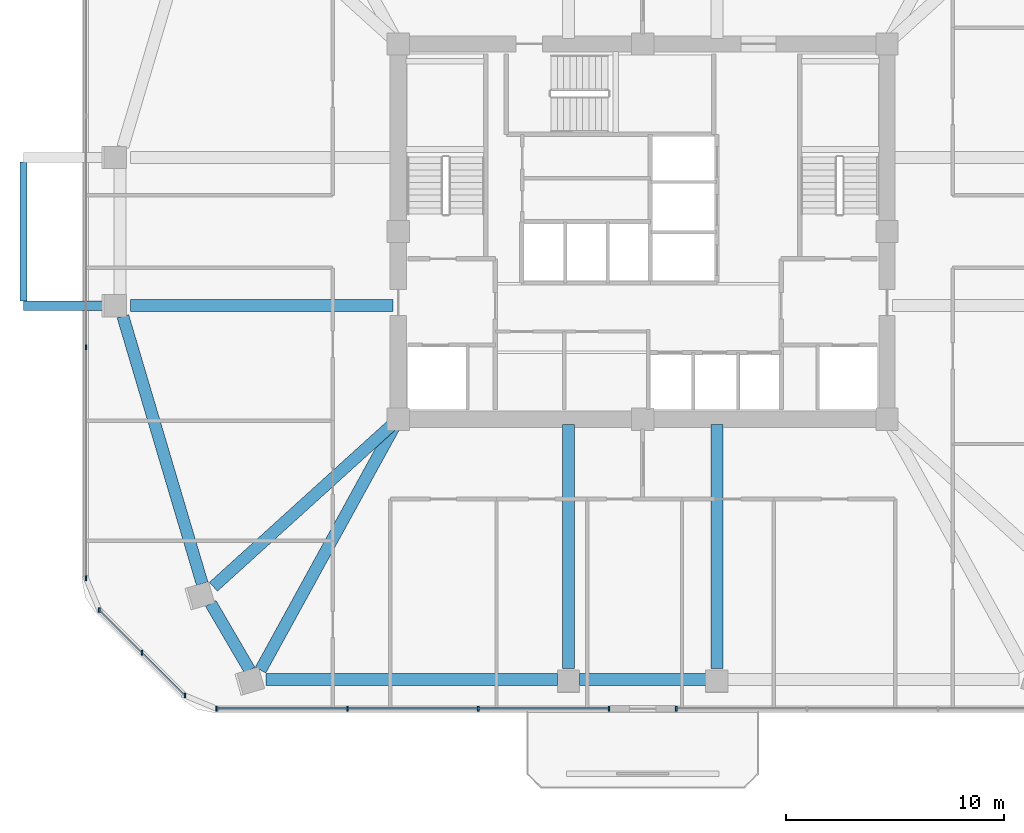
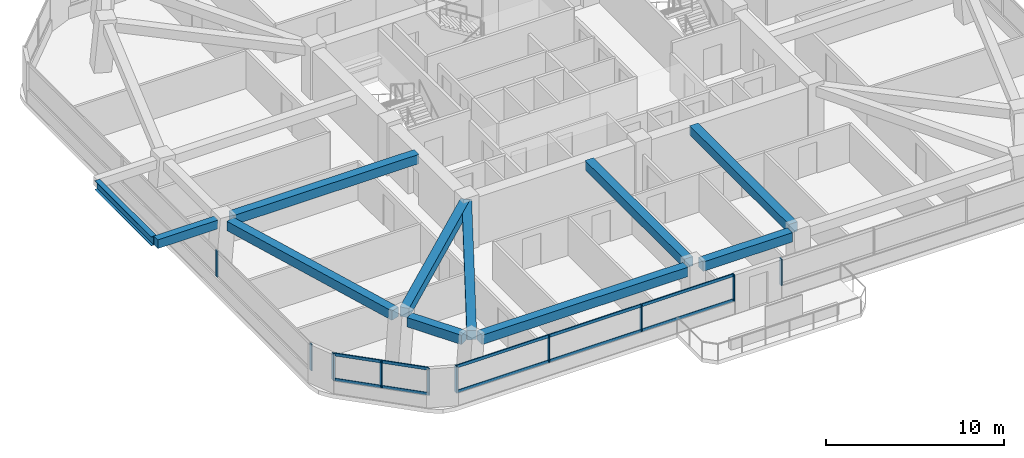
# One storey, part 2 of 13: 14 members, 11 beams, 4 elements without a shape of their own.
"""IFC4 building model written with IfcOpenShell, lengths in metres."""

from ifc_helpers import new_model, si_unit, derived_unit, direction, frame, origin, origin_2d, place, context, subcontext, project, spatial, rectangle, i_section, extrude, material, material_profile, profile_set, type_object, element, aggregate, save


model = new_model("IFC4")

# Units and contexts
model_context = context("Model", 3, precision=1e-05, world=origin(), true_north=direction((0.0, 1.0)))
body_context = subcontext(model_context, "Body", "Model", "MODEL_VIEW")
ifc_project = project(units=[si_unit("LENGTHUNIT", "METRE"), si_unit("AREAUNIT", "SQUARE_METRE"), si_unit("VOLUMEUNIT", "CUBIC_METRE"), si_unit("PLANEANGLEUNIT", "RADIAN"), si_unit("MASSUNIT", "GRAM", prefix="KILO"), derived_unit("THERMALTRANSMITTANCEUNIT", [(si_unit("POWERUNIT", "WATT"), 1), (si_unit("LENGTHUNIT", "METRE"), -2), (si_unit("THERMODYNAMICTEMPERATUREUNIT", "KELVIN"), -1)])], contexts=[model_context])

# Site, building, storey
site_placement = place(None, origin())
site = spatial("IfcSite", under=ifc_project, at=site_placement, CompositionType="ELEMENT")
building_placement = place(site_placement, origin())
building = spatial("IfcBuilding", under=site, at=building_placement, Name="Koralith Skygarden Medical Center", CompositionType="ELEMENT")
storey_placement = place(building_placement, frame((0.0, 0.0, 102.780029296875)))
storey = spatial("IfcBuildingStorey", under=building, at=storey_placement, Name="L26", CompositionType="ELEMENT", Elevation=102.780029296875)

# Curtain wall, members
ifc_material_1 = material(Name="Clear Laminated Glass", Category="glass")
curtain_wall_type = type_object("IfcCurtainWallType", Name="CW-3 Zone 2 Faceted Solar Curtain Wall", PredefinedType="NOTDEFINED", material=ifc_material_1)
curtain_wall_1_placement = place(storey_placement, origin())
curtain_wall_1 = element("IfcCurtainWall", 1, at=curtain_wall_1_placement, inside=storey, type_object=curtain_wall_type, Name="Curtain Wall CW-L26-S-L", PredefinedType="NOTDEFINED")
ifc_material_2 = material(Name="Aluminium 6063-T6", Category="aluminium")
ifc_material_profile_1 = material_profile(ifc_material_2, rectangle(XDim=0.073974609375, YDim=0.219970703125, at=origin_2d()), Name="MUL74X220")
ifc_profile_set_1 = profile_set([ifc_material_profile_1], Name="Aluminium 6063-T6")
member_type_1 = type_object("IfcMemberType", Name="CW-3 Extruded Mullion 74x220", PredefinedType="MULLION", material=ifc_profile_set_1)
member_1_placement = place(storey_placement, frame((17.464111328125, 4.033935546875, 0.849853515625), z_axis=(0.0, 0.0, 1.0), x_axis=(1.0, 0.0, 0.0)))
member_1 = element("IfcMember", 2, at=member_1_placement, type_object=member_type_1, Name="CW-L26-S-L Mullion 1", PredefinedType="MULLION", context=body_context, shape_type="SweptSolid", body=[
    extrude(rectangle(XDim=0.073974609375, YDim=0.219970703125, at=origin_2d()), origin(), (0.0, 0.0, 1.0), 1.820068359375),
])
member_2_placement = place(storey_placement, frame((23.4619140625, 4.033935546875, 0.849853515625), z_axis=(0.0, 0.0, 1.0), x_axis=(1.0, 0.0, 0.0)))
member_2 = element("IfcMember", 3, at=member_2_placement, type_object=member_type_1, Name="CW-L26-S-L Mullion 2", PredefinedType="MULLION", context=body_context, shape_type="SweptSolid", body=[
    extrude(rectangle(XDim=0.073974609375, YDim=0.219970703125, at=origin_2d()), origin(), (0.0, 0.0, 1.0), 1.820068359375),
])
member_3_placement = place(storey_placement, frame((29.4609375, 4.033935546875, 0.849853515625), z_axis=(0.0, 0.0, 1.0), x_axis=(1.0, 0.0, 0.0)))
member_3 = element("IfcMember", 4, at=member_3_placement, type_object=member_type_1, Name="CW-L26-S-L Mullion 3", PredefinedType="MULLION", context=body_context, shape_type="SweptSolid", body=[
    extrude(rectangle(XDim=0.073974609375, YDim=0.219970703125, at=origin_2d()), origin(), (0.0, 0.0, 1.0), 1.820068359375),
])
member_4_placement = place(storey_placement, frame((35.458984375, 4.033935546875, 0.849853515625), z_axis=(0.0, 0.0, 1.0), x_axis=(1.0, 0.0, 0.0)))
member_4 = element("IfcMember", 5, at=member_4_placement, type_object=member_type_1, Name="CW-L26-S-L Mullion 4", PredefinedType="MULLION", context=body_context, shape_type="SweptSolid", body=[
    extrude(rectangle(XDim=0.073974609375, YDim=0.219970703125, at=origin_2d()), origin(), (0.0, 0.0, 1.0), 1.820068359375),
])

# Curtain wall, member
curtain_wall_2_placement = place(storey_placement, origin())
curtain_wall_2 = element("IfcCurtainWall", 6, at=curtain_wall_2_placement, inside=storey, type_object=curtain_wall_type, Name="Curtain Wall CW-L26-S-R", PredefinedType="NOTDEFINED")
member_5_placement = place(storey_placement, frame((38.5390625, 4.033935546875, 0.849853515625), z_axis=(0.0, 0.0, 1.0), x_axis=(1.0, 0.0, 0.0)))
member_5 = element("IfcMember", 7, at=member_5_placement, type_object=member_type_1, Name="CW-L26-S-R Mullion 1", PredefinedType="MULLION", context=body_context, shape_type="SweptSolid", body=[
    extrude(rectangle(XDim=0.073974609375, YDim=0.219970703125, at=origin_2d()), origin(), (0.0, 0.0, 1.0), 1.820068359375),
])
aggregate(curtain_wall_2, [member_5])

# Curtain wall, members
curtain_wall_3_placement = place(storey_placement, origin())
curtain_wall_3 = element("IfcCurtainWall", 8, at=curtain_wall_3_placement, inside=storey, type_object=curtain_wall_type, Name="Curtain Wall CW-L26-W", PredefinedType="NOTDEFINED")
member_6_placement = place(storey_placement, frame((11.489013671875, 20.60302734375, 0.849853515625), z_axis=(0.0, 0.0, 1.0), x_axis=(1.0, 0.0, 0.0)))
member_6 = element("IfcMember", 9, at=member_6_placement, type_object=member_type_1, Name="CW-L26-W Mullion 3", PredefinedType="MULLION", context=body_context, shape_type="SweptSolid", body=[
    extrude(rectangle(XDim=0.073974609375, YDim=0.219970703125, at=origin_2d()), origin(), (0.0, 0.0, 1.0), 1.820068359375),
])
member_7_placement = place(storey_placement, frame((11.489013671875, 10.009033203125, 0.849853515625), z_axis=(0.0, 0.0, 1.0), x_axis=(1.0, 0.0, 0.0)))
member_7 = element("IfcMember", 10, at=member_7_placement, type_object=member_type_1, Name="CW-L26-W Mullion 4", PredefinedType="MULLION", context=body_context, shape_type="SweptSolid", body=[
    extrude(rectangle(XDim=0.073974609375, YDim=0.219970703125, at=origin_2d()), origin(), (0.0, 0.0, 1.0), 1.820068359375),
])
aggregate(curtain_wall_3, [member_6, member_7])

curtain_wall_4_placement = place(storey_placement, origin())
curtain_wall_4 = element("IfcCurtainWall", 11, at=curtain_wall_4_placement, inside=storey, type_object=curtain_wall_type, Name="Curtain Wall CW-L26-SW", PredefinedType="NOTDEFINED")
member_8_placement = place(storey_placement, frame((12.090087890625, 8.55810546875, 0.849853515625), z_axis=(0.0, 0.0, 1.0), x_axis=(1.0, 0.0, 0.0)))
member_8 = element("IfcMember", 12, at=member_8_placement, type_object=member_type_1, Name="CW-L26-SW Mullion 1", PredefinedType="MULLION", context=body_context, shape_type="SweptSolid", body=[
    extrude(rectangle(XDim=0.073974609375, YDim=0.219970703125, at=origin_2d()), origin(), (0.0, 0.0, 1.0), 1.820068359375),
])
member_9_placement = place(storey_placement, frame((14.052001953125, 6.595947265625, 0.849853515625), z_axis=(0.0, 0.0, 1.0), x_axis=(1.0, 0.0, 0.0)))
member_9 = element("IfcMember", 13, at=member_9_placement, type_object=member_type_1, Name="CW-L26-SW Mullion 2", PredefinedType="MULLION", context=body_context, shape_type="SweptSolid", body=[
    extrude(rectangle(XDim=0.073974609375, YDim=0.219970703125, at=origin_2d()), origin(), (0.0, 0.0, 1.0), 1.820068359375),
])
member_10_placement = place(storey_placement, frame((16.012939453125, 4.635009765625, 0.849853515625), z_axis=(0.0, 0.0, 1.0), x_axis=(1.0, 0.0, 0.0)))
member_10 = element("IfcMember", 14, at=member_10_placement, type_object=member_type_1, Name="CW-L26-SW Mullion 3", PredefinedType="MULLION", context=body_context, shape_type="SweptSolid", body=[
    extrude(rectangle(XDim=0.073974609375, YDim=0.219970703125, at=origin_2d()), origin(), (0.0, 0.0, 1.0), 1.820068359375),
])

# Member
ifc_material_profile_2 = material_profile(ifc_material_2, rectangle(XDim=0.069091796875, YDim=0.197998046875, at=origin_2d()), Name="TRN69X198")
ifc_profile_set_2 = profile_set([ifc_material_profile_2], Name="Aluminium 6063-T6")
member_type_2 = type_object("IfcMemberType", Name="CW-3 Thermal Transom 69x198", PredefinedType="USERDEFINED", material=ifc_profile_set_2)
member_11_placement = place(storey_placement, frame((17.464111328125, 4.033935546875, 0.89990234375), z_axis=(1.0, 0.0, 0.0), x_axis=(0.0, 1.0, 0.0)))
member_11 = element("IfcMember", 15, at=member_11_placement, type_object=member_type_2, Name="CW-L26-S-L Transom 1", ObjectType="TRANSOM", PredefinedType="USERDEFINED", context=body_context, shape_type="SweptSolid", body=[
    extrude(rectangle(XDim=0.069091796875, YDim=0.197998046875, at=origin_2d()), origin(), (0.0, 0.0, 1.0), 17.994873046875),
])

member_12_placement = place(storey_placement, frame((17.464111328125, 4.033935546875, 2.619873046875), z_axis=(1.0, 0.0, 0.0), x_axis=(0.0, 1.0, 0.0)))
member_12 = element("IfcMember", 16, at=member_12_placement, type_object=member_type_2, Name="CW-L26-S-L Transom 2", ObjectType="TRANSOM", PredefinedType="USERDEFINED", context=body_context, shape_type="SweptSolid", body=[
    extrude(rectangle(XDim=0.069091796875, YDim=0.197998046875, at=origin_2d()), origin(), (0.0, 0.0, 1.0), 17.994873046875),
])

aggregate(curtain_wall_1, [member_1, member_2, member_3, member_4, member_11, member_12])

member_13_placement = place(storey_placement, frame((12.090087890625, 8.55810546875, 0.89990234375), z_axis=(0.707084777957, -0.707128783731, 0.0), x_axis=(0.707128783731, 0.707084777957, 0.0)))
member_13 = element("IfcMember", 17, at=member_13_placement, type_object=member_type_2, Name="CW-L26-SW Transom 1", ObjectType="TRANSOM", PredefinedType="USERDEFINED", context=body_context, shape_type="SweptSolid", body=[
    extrude(rectangle(XDim=0.069091796875, YDim=0.197998046875, at=origin_2d()), origin(), (0.0, 0.0, 1.0), 5.5478515625),
])

member_14_placement = place(storey_placement, frame((12.090087890625, 8.55810546875, 2.619873046875), z_axis=(0.707084777957, -0.707128783731, 0.0), x_axis=(0.707128783731, 0.707084777957, 0.0)))
member_14 = element("IfcMember", 18, at=member_14_placement, type_object=member_type_2, Name="CW-L26-SW Transom 2", ObjectType="TRANSOM", PredefinedType="USERDEFINED", context=body_context, shape_type="SweptSolid", body=[
    extrude(rectangle(XDim=0.069091796875, YDim=0.197998046875, at=origin_2d()), origin(), (0.0, 0.0, 1.0), 5.5478515625),
])

aggregate(curtain_wall_4, [member_8, member_9, member_10, member_13, member_14])

# Beams
ifc_material_3 = material(Name="Steel ASTM A992 Grade 50", Category="steel")
ifc_material_profile_3 = material_profile(ifc_material_3, i_section(OverallWidth=0.326904296875, OverallDepth=0.6220703125, WebThickness=0.015380859375, FlangeThickness=0.0244140625, at=origin_2d()), Name="W24X131")
ifc_profile_set_3 = profile_set([ifc_material_profile_3], Name="Steel ASTM A992 Grade 50")
beam_type_1 = type_object("IfcBeamType", Name="Cantilever Tie Beam W24X131", PredefinedType="BEAM", material=ifc_profile_set_3)
beam_1_placement = place(storey_placement, frame((8.6220703125, 22.719970703125, 3.029052734375), z_axis=(0.0, 1.0, 0.0), x_axis=(-1.0, 0.0, 0.0)))
element("IfcBeam", 19, at=beam_1_placement, inside=storey, type_object=beam_type_1, Name="L27 W Balcony Tip Tie Beam", PredefinedType="BEAM", context=body_context, shape_type="SweptSolid", body=[
    extrude(i_section(OverallWidth=0.326904296875, OverallDepth=0.6220703125, WebThickness=0.015380859375, FlangeThickness=0.0244140625, at=origin_2d()), origin(), (0.0, 0.0, 1.0), 6.360107421875),
])
ifc_material_4 = material(Name="Concrete C45/55", Category="concrete")
ifc_material_profile_4 = material_profile(ifc_material_4, rectangle(XDim=0.449951171875, YDim=0.60009765625, at=origin_2d()), Name="RCB450X600")
ifc_profile_set_4 = profile_set([ifc_material_profile_4], Name="Concrete C45/55")
beam_type_2 = type_object("IfcBeamType", Name="Planted Balcony Cantilever Beam RCB450X600", PredefinedType="BEAM", material=ifc_profile_set_4)
beam_2_placement = place(storey_placement, frame((12.5419921875, 22.5, 3.0400390625), z_axis=(-1.0, 0.0, 0.0), x_axis=(0.0, -1.0, 0.0)))
element("IfcBeam", 20, at=beam_2_placement, inside=storey, type_object=beam_type_2, Name="L27 W Balcony Cantilever Beam A", PredefinedType="BEAM", context=body_context, shape_type="SweptSolid", body=[
    extrude(rectangle(XDim=0.449951171875, YDim=0.60009765625, at=origin_2d()), origin(), (0.0, 0.0, 1.0), 3.919921875),
])
ifc_material_profile_5 = material_profile(ifc_material_4, rectangle(XDim=0.550048828125, YDim=0.639892578125, at=origin_2d()), Name="RCB550X640")
ifc_profile_set_5 = profile_set([ifc_material_profile_5], Name="Concrete C45/55")
beam_type_3 = type_object("IfcBeamType", Name="Radial Collector Beam RCB550X640", PredefinedType="BEAM", material=ifc_profile_set_5)
beam_3_placement = place(storey_placement, frame((25.550048828125, 22.5, 3.0), z_axis=(-1.0, 0.0, 0.0), x_axis=(0.0, -1.0, 0.0)))
element("IfcBeam", 21, at=beam_3_placement, inside=storey, type_object=beam_type_3, Name="L26 Radial Collector Beam RB-01", PredefinedType="BEAM", context=body_context, shape_type="SweptSolid", body=[
    extrude(rectangle(XDim=0.550048828125, YDim=0.639892578125, at=origin_2d()), origin(), (0.0, 0.0, 1.0), 12.01806640625),
])
beam_4_placement = place(storey_placement, frame((25.614990234375, 17.132080078125, 3.0), z_axis=(-0.741050731266, -0.671449040278, 0.0), x_axis=(0.671449040278, -0.741050731266, 0.0)))
element("IfcBeam", 22, at=beam_4_placement, inside=storey, type_object=beam_type_3, Name="L26 Radial Collector Beam RB-02", PredefinedType="BEAM", context=body_context, shape_type="SweptSolid", body=[
    extrude(rectangle(XDim=0.550048828125, YDim=0.639892578125, at=origin_2d()), origin(), (0.0, 0.0, 1.0), 11.189453125),
])
beam_5_placement = place(storey_placement, frame((25.679931640625, 17.0810546875, 3.0), z_axis=(-0.481411133135, -0.876494906371, 0.0), x_axis=(0.876494906371, -0.481411133135, 0.0)))
element("IfcBeam", 23, at=beam_5_placement, inside=storey, type_object=beam_type_3, Name="L26 Radial Collector Beam RB-03", PredefinedType="BEAM", context=body_context, shape_type="SweptSolid", body=[
    extrude(rectangle(XDim=0.550048828125, YDim=0.639892578125, at=origin_2d()), origin(), (0.0, 0.0, 1.0), 12.87060546875),
])
for number, where, z_axis, x_axis, name in (
    (24, (33.60009765625, 17.050048828125, 3.0), (0.0, -1.0, 0.0), (1.0, 0.0, 0.0), "L26 Radial Collector Beam RB-04"),
    (25, (40.39990234375, 17.050048828125, 3.0), (0.0, -1.0, 0.0), (1.0, 0.0, 0.0), "L26 Radial Collector Beam RB-05"),
):
    element("IfcBeam", number, at=place(storey_placement, frame(where, z_axis=z_axis, x_axis=x_axis)), inside=storey, type_object=beam_type_3, Name=name, PredefinedType="BEAM", context=body_context, shape_type="SweptSolid", body=[
        extrude(rectangle(XDim=0.550048828125, YDim=0.639892578125, at=origin_2d()), origin(), (0.0, 0.0, 1.0), 11.18798828125),
    ])
ifc_material_profile_6 = material_profile(ifc_material_4, rectangle(XDim=0.550048828125, YDim=0.639892578125, at=origin_2d()), Name="RCB550X640")
ifc_profile_set_6 = profile_set([ifc_material_profile_6], Name="Concrete C45/55")
beam_type_4 = type_object("IfcBeamType", Name="Zone 2-3 Spandrel Beam RCB550X640", PredefinedType="SPANDREL", material=ifc_profile_set_6)
beam_6_placement = place(storey_placement, frame((13.174072265625, 22.02099609375, 3.0), z_axis=(0.284352900975, -0.958719681506, 0.0), x_axis=(0.958719681506, 0.284352900975, 0.0)))
element("IfcBeam", 26, at=beam_6_placement, inside=storey, type_object=beam_type_4, Name="L26 Perimeter Spandrel Beam SP-01", PredefinedType="SPANDREL", context=body_context, shape_type="SweptSolid", body=[
    extrude(rectangle(XDim=0.550048828125, YDim=0.639892578125, at=origin_2d()), origin(), (0.0, 0.0, 1.0), 12.786865234375),
])
beam_7_placement = place(storey_placement, frame((17.2041015625, 8.85107421875, 3.0), z_axis=(0.504616741927, -0.863343468016, 0.0), x_axis=(0.863343468016, 0.504616741927, 0.0)))
element("IfcBeam", 27, at=beam_7_placement, inside=storey, type_object=beam_type_4, Name="L26 Perimeter Spandrel Beam SP-02", PredefinedType="SPANDREL", context=body_context, shape_type="SweptSolid", body=[
    extrude(rectangle(XDim=0.550048828125, YDim=0.639892578125, at=origin_2d()), origin(), (0.0, 0.0, 1.0), 3.541015625),
])
beam_8_placement = place(storey_placement, frame((19.742919921875, 5.362060546875, 3.0), z_axis=(1.0, 0.0, 0.0), x_axis=(0.0, 1.0, 0.0)))
element("IfcBeam", 28, at=beam_8_placement, inside=storey, type_object=beam_type_4, Name="L26 Perimeter Spandrel Beam SP-03", PredefinedType="SPANDREL", context=body_context, shape_type="SweptSolid", body=[
    extrude(rectangle(XDim=0.550048828125, YDim=0.639892578125, at=origin_2d()), origin(), (0.0, 0.0, 1.0), 13.357177734375),
])
beam_9_placement = place(storey_placement, frame((34.10009765625, 5.362060546875, 3.0), z_axis=(1.0, 0.0, 0.0), x_axis=(0.0, 1.0, 0.0)))
element("IfcBeam", 29, at=beam_9_placement, inside=storey, type_object=beam_type_4, Name="L26 Perimeter Spandrel Beam SP-04", PredefinedType="SPANDREL", context=body_context, shape_type="SweptSolid", body=[
    extrude(rectangle(XDim=0.550048828125, YDim=0.639892578125, at=origin_2d()), origin(), (0.0, 0.0, 1.0), 5.7998046875),
])

save(model, "model.ifc")
